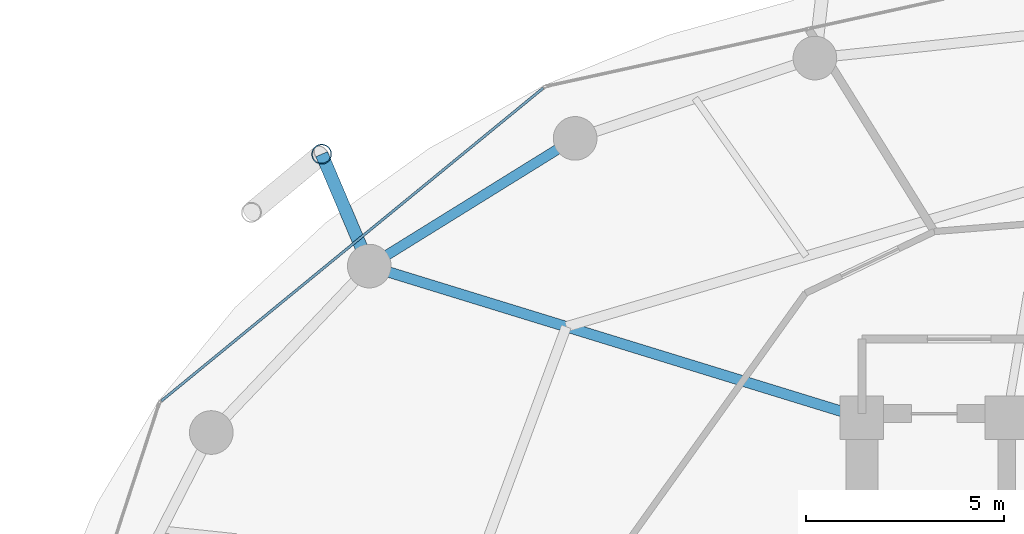
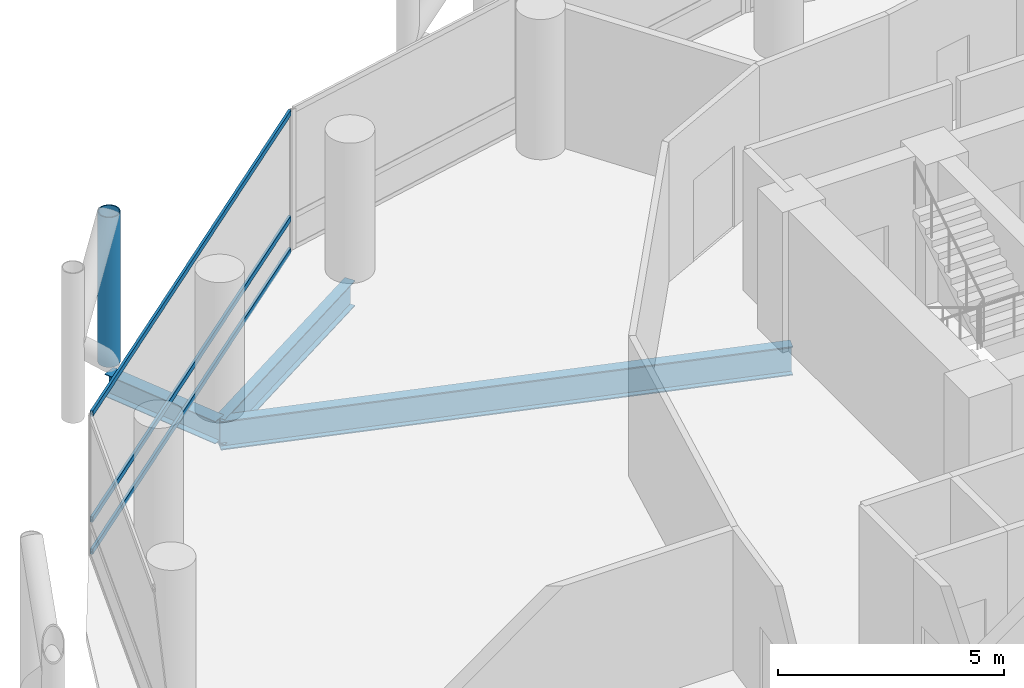
# One storey, part 14 of 24: 4 members, 3 beams, 1 element without a shape of its own.
"""IFC4 building model written with IfcOpenShell, lengths in metres."""

from ifc_helpers import new_model, si_unit, direction, frame, origin, origin_2d, place, context, subcontext, project, spatial, hollow_rectangle, hollow_circle, i_section, extrude, material, layer, layer_set, material_profile, profile_set, type_object, element, aggregate, save


model = new_model("IFC4")

# Units and contexts
model_context = context("Model", 3, precision=1e-05, world=origin(), true_north=direction((0.0, 1.0)))
body_context = subcontext(model_context, "Body", "Model", "MODEL_VIEW")
ifc_project = project(units=[si_unit("LENGTHUNIT", "METRE"), si_unit("AREAUNIT", "SQUARE_METRE"), si_unit("VOLUMEUNIT", "CUBIC_METRE"), si_unit("PLANEANGLEUNIT", "RADIAN"), si_unit("MASSUNIT", "GRAM", prefix="KILO")], contexts=[model_context])

# Site, building, storey
site_placement = place(None, origin())
site = spatial("IfcSite", under=ifc_project, at=site_placement, CompositionType="ELEMENT")
building_placement = place(site_placement, origin())
building = spatial("IfcBuilding", under=site, at=building_placement, Name="Nuhasar Tower", CompositionType="ELEMENT")
storey_placement = place(building_placement, frame((0.0, 0.0, 29.10009765625)))
storey = spatial("IfcBuildingStorey", under=building, at=storey_placement, Name="L06", CompositionType="ELEMENT", Elevation=29.10009765625)

# Beams
ifc_material_1 = material(Name="Steel S355", Category="steel")
ifc_material_profile_1 = material_profile(ifc_material_1, i_section(OverallWidth=0.26611328125, OverallDepth=0.779052734375, WebThickness=0.0166015625, FlangeThickness=0.030029296875, at=origin_2d()), Name="W30X148")
ifc_profile_set_1 = profile_set([ifc_material_profile_1], Name="Steel S355")
beam_type_1 = type_object("IfcBeamType", Name="BM-RAD-W30X148", PredefinedType="BEAM", material=ifc_profile_set_1)
beam_1_placement = place(storey_placement, frame((33.699951171875, 37.300048828125, -0.650146484375), z_axis=(-0.955789576103, 0.294051502653, 0.0), x_axis=(-0.294051502653, -0.955789576103, 0.0)))
element("IfcBeam", 1, at=beam_1_placement, inside=storey, type_object=beam_type_1, Name="L06 Radial Floor Girder 07", PredefinedType="BEAM", context=body_context, shape_type="SweptSolid", body=[
    extrude(i_section(OverallWidth=0.26611328125, OverallDepth=0.779052734375, WebThickness=0.0166015625, FlangeThickness=0.030029296875, at=origin_2d()), origin(), (0.0, 0.0, 1.0), 12.987060546875),
])
ifc_material_profile_2 = material_profile(ifc_material_1, i_section(OverallWidth=0.256103515625, OverallDepth=0.693115234375, WebThickness=0.014404296875, FlangeThickness=0.023681640625, at=origin_2d()), Name="W27X114")
ifc_profile_set_2 = profile_set([ifc_material_profile_2], Name="Steel S355")
beam_type_2 = type_object("IfcBeamType", Name="BM-RING-W27X114", PredefinedType="SPANDREL", material=ifc_profile_set_2)
beam_2_placement = place(storey_placement, frame((26.47509765625, 44.3369140625, -0.606201171875), z_axis=(-0.849795216549, -0.527112976439, 0.0), x_axis=(0.527112976439, -0.849795216549, 0.0)))
element("IfcBeam", 2, at=beam_2_placement, inside=storey, type_object=beam_type_2, Name="L06 Perimeter Ring Spandrel 09", PredefinedType="SPANDREL", context=body_context, shape_type="SweptSolid", body=[
    extrude(i_section(OverallWidth=0.256103515625, OverallDepth=0.693115234375, WebThickness=0.014404296875, FlangeThickness=0.023681640625, at=origin_2d()), origin(), (0.0, 0.0, 1.0), 6.10498046875),
])
ifc_material_profile_3 = material_profile(ifc_material_1, i_section(OverallWidth=0.323974609375, OverallDepth=0.611083984375, WebThickness=0.0126953125, FlangeThickness=0.01904296875, at=origin_2d()), Name="W24X104")
ifc_profile_set_3 = profile_set([ifc_material_profile_3], Name="Steel S355")
beam_type_3 = type_object("IfcBeamType", Name="BM-TIE-W24X104", PredefinedType="BEAM", material=ifc_profile_set_3)
beam_3_placement = place(storey_placement, frame((21.287109375, 41.118896484375, -0.565185546875), z_axis=(-0.391601084021, 0.920135093882, 0.0), x_axis=(-0.920135093882, -0.391601084021, 0.0)))
element("IfcBeam", 3, at=beam_3_placement, inside=storey, type_object=beam_type_3, Name="L06 Exoskeleton Node Tie Beam 05", PredefinedType="BEAM", context=body_context, shape_type="SweptSolid", body=[
    extrude(i_section(OverallWidth=0.323974609375, OverallDepth=0.611083984375, WebThickness=0.0126953125, FlangeThickness=0.01904296875, at=origin_2d()), origin(), (0.0, 0.0, 1.0), 3.06494140625),
])

# Curtain wall, members
ifc_material_2 = material(Name="Aluminium 6063-T6", Category="aluminium")
ifc_layer = layer(ifc_material_2, 0.199951171875)
ifc_layer_set = layer_set([ifc_layer], Name="Aluminium 6063-T6")
curtain_wall_type = type_object("IfcCurtainWallType", Name="CW-Z1-OFF", PredefinedType="NOTDEFINED", material=ifc_layer_set)
curtain_wall_placement = place(storey_placement, origin())
curtain_wall = element("IfcCurtainWall", 4, at=curtain_wall_placement, inside=storey, type_object=curtain_wall_type, Name="L06 Unitised Curtain Wall 05", PredefinedType="NOTDEFINED")
ifc_material_profile_4 = material_profile(ifc_material_2, hollow_rectangle(XDim=0.06494140625, YDim=0.14990234375, WallThickness=0.00439453125, at=origin_2d()), Name="CWT-2")
ifc_profile_set_4 = profile_set([ifc_material_profile_4], Name="Aluminium 6063-T6")
member_type_1 = type_object("IfcMemberType", Name="CW-TRN-S2", PredefinedType="USERDEFINED", material=ifc_profile_set_4)
member_1_placement = place(storey_placement, frame((25.669677734375, 45.603759765625, 0.032470703125), z_axis=(-0.773540851599, -0.633746440548, 0.0), x_axis=(0.633746440548, -0.773540851599, 0.0)))
member_1 = element("IfcMember", 5, at=member_1_placement, type_object=member_type_1, Name="CW-Z1 transom 1.1", ObjectType="TRANSOM", PredefinedType="USERDEFINED", context=body_context, shape_type="SweptSolid", body=[
    extrude(hollow_rectangle(XDim=0.06494140625, YDim=0.14990234375, WallThickness=0.00439453125, at=origin_2d()), origin(), (0.0, 0.0, 1.0), 12.43798828125),
])
member_2_placement = place(storey_placement, frame((25.669677734375, 45.603759765625, 0.89990234375), z_axis=(-0.773540851599, -0.633746440548, 0.0), x_axis=(0.633746440548, -0.773540851599, 0.0)))
member_2 = element("IfcMember", 6, at=member_2_placement, type_object=member_type_1, Name="CW-Z1 transom 1.2", ObjectType="TRANSOM", PredefinedType="USERDEFINED", context=body_context, shape_type="SweptSolid", body=[
    extrude(hollow_rectangle(XDim=0.06494140625, YDim=0.14990234375, WallThickness=0.00439453125, at=origin_2d()), origin(), (0.0, 0.0, 1.0), 12.43798828125),
])
member_3_placement = place(storey_placement, frame((25.669677734375, 45.603759765625, 3.75732421875), z_axis=(-0.773540851599, -0.633746440548, 0.0), x_axis=(0.633746440548, -0.773540851599, 0.0)))
member_3 = element("IfcMember", 7, at=member_3_placement, type_object=member_type_1, Name="CW-Z1 transom 1.3", ObjectType="TRANSOM", PredefinedType="USERDEFINED", context=body_context, shape_type="SweptSolid", body=[
    extrude(hollow_rectangle(XDim=0.06494140625, YDim=0.14990234375, WallThickness=0.00439453125, at=origin_2d()), origin(), (0.0, 0.0, 1.0), 12.43798828125),
])
aggregate(curtain_wall, [member_1, member_2, member_3])

# Member
ifc_material_3 = material(Name="Steel S460", Category="steel")
ifc_material_profile_5 = material_profile(ifc_material_3, hollow_circle(Radius=0.25390625, WallThickness=0.025390625, at=origin_2d()), Name="HSS508X25.4")
ifc_profile_set_5 = profile_set([ifc_material_profile_5], Name="Steel S460")
member_type_2 = type_object("IfcMemberType", Name="EXO-BRONZE-508", PredefinedType="BRACE", material=ifc_profile_set_5)
member_4_placement = place(storey_placement, frame((20.0869140625, 43.93896484375, 0.0), z_axis=(0.0, 0.0, 1.0), x_axis=(1.0, 0.0, 0.0)))
element("IfcMember", 8, at=member_4_placement, inside=storey, type_object=member_type_2, Name="L06 Exoskeleton Chord Column EC-05A", PredefinedType="BRACE", context=body_context, shape_type="SweptSolid", body=[
    extrude(hollow_circle(Radius=0.25390625, WallThickness=0.025390625, at=origin_2d()), origin(), (0.0, 0.0, 1.0), 4.0498046875),
])

save(model, "model.ifc")
